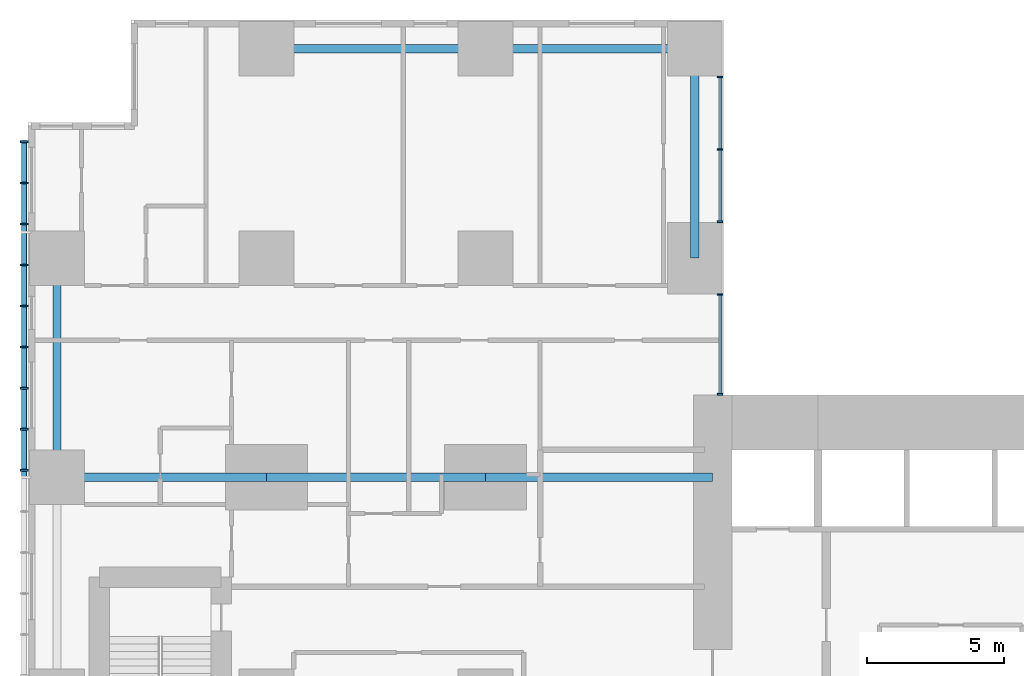
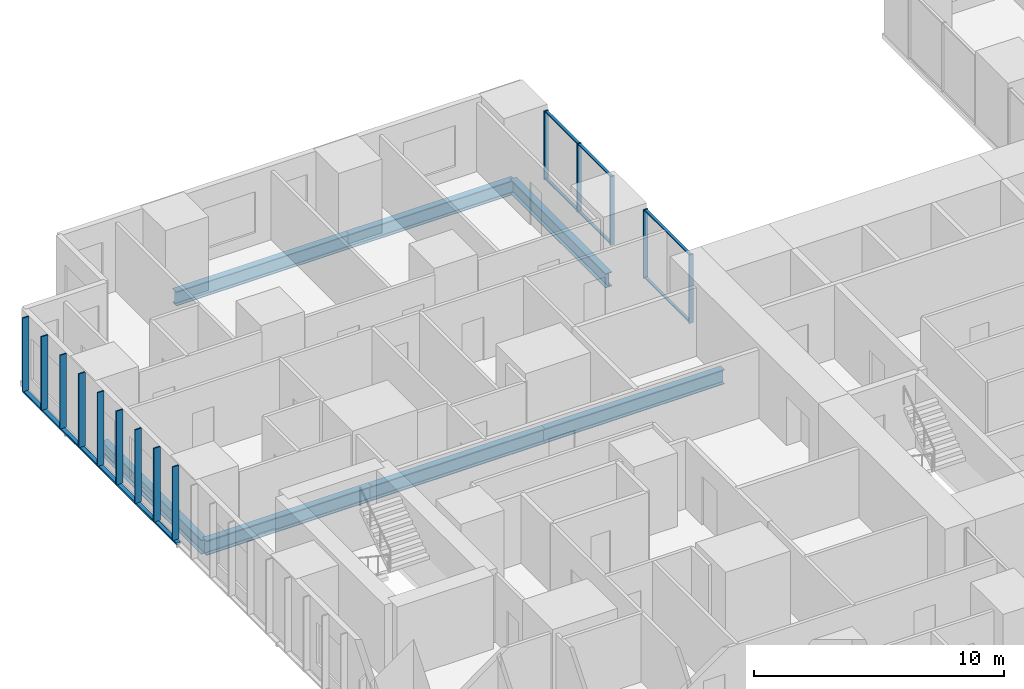
# One storey, part 4 of 22: 21 members, 7 beams, 2 elements without a shape of their own.
"""IFC4 building model written with IfcOpenShell, lengths in metres."""

from ifc_helpers import new_model, si_unit, direction, frame, origin, origin_2d, place, context, subcontext, project, spatial, rectangle, hollow_rectangle, i_section, extrude, material, layer, layer_set, material_profile, profile_set, type_object, element, aggregate, save


model = new_model("IFC4")

# Units and contexts
model_context = context("Model", 3, precision=1e-05, world=origin(), true_north=direction((0.0, 1.0)))
body_context = subcontext(model_context, "Body", "Model", "MODEL_VIEW")
ifc_project = project(units=[si_unit("LENGTHUNIT", "METRE"), si_unit("AREAUNIT", "SQUARE_METRE"), si_unit("VOLUMEUNIT", "CUBIC_METRE"), si_unit("PLANEANGLEUNIT", "RADIAN"), si_unit("MASSUNIT", "GRAM", prefix="KILO")], contexts=[model_context])

# Site, building, storey
site_placement = place(None, origin())
site = spatial("IfcSite", under=ifc_project, at=site_placement, CompositionType="ELEMENT")
building_placement = place(site_placement, origin())
building = spatial("IfcBuilding", under=site, at=building_placement, Name="Cleftline Residences", CompositionType="ELEMENT")
storey_placement = place(building_placement, frame((0.0, 0.0, 29.60009765625)))
storey = spatial("IfcBuildingStorey", under=building, at=storey_placement, Name="L06", CompositionType="ELEMENT", Elevation=29.60009765625)

# Member
ifc_material_1 = material(Name="Steel S355, hot-dip galvanised", Category="steel")
ifc_material_profile_1 = material_profile(ifc_material_1, hollow_rectangle(XDim=0.10009765625, YDim=0.199951171875, WallThickness=0.008056640625, InnerFilletRadius=0.008056640625, OuterFilletRadius=0.011962890625, at=origin_2d()))
ifc_profile_set_1 = profile_set([ifc_material_profile_1], Name="Steel S355, hot-dip galvanised")
member_type_1 = type_object("IfcMemberType", Name="BAGUETTE CARRIER RHS 200X100X8", PredefinedType="USERDEFINED", material=ifc_profile_set_1)
member_1_placement = place(storey_placement, frame((-0.85009765625, 44.300048828125, -0.050048828125), z_axis=(0.0, -1.0, 0.0), x_axis=(0.0, 0.0, 1.0)))
element("IfcMember", 1, at=member_1_placement, inside=storey, type_object=member_type_1, Name="Baguette carrier", ObjectType="BAGUETTE CARRIER", PredefinedType="USERDEFINED", context=body_context, shape_type="SweptSolid", body=[
    extrude(hollow_rectangle(XDim=0.10009765625, YDim=0.199951171875, WallThickness=0.008056640625, InnerFilletRadius=0.008056640625, OuterFilletRadius=0.011962890625, at=origin_2d()), origin(), (0.0, 0.0, 1.0), 12.300048828125),
])

# Beams
ifc_material_2 = material(Name="Steel S355", Category="steel")
ifc_material_profile_2 = material_profile(ifc_material_2, i_section(OverallWidth=0.300048828125, OverallDepth=0.699951171875, WebThickness=0.01708984375, FlangeThickness=0.031982421875, FilletRadius=0.027099609375, at=origin_2d()))
ifc_profile_set_2 = profile_set([ifc_material_profile_2], Name="Steel S355")
beam_type_1 = type_object("IfcBeamType", Name="BEAM HEB 700", PredefinedType="BEAM", material=ifc_profile_set_2)
for number, where, z_axis, x_axis, name in (
    (2, (0.35009765625, 32.0, -0.60009765625), (0.0, 1.0, 0.0), (-1.0, 0.0, 0.0), "Edge beam"),
    (3, (8.0, 47.64990234375, -0.60009765625), (1.0, 0.0, 0.0), (0.0, 1.0, 0.0), "Edge beam"),
):
    element("IfcBeam", number, at=place(storey_placement, frame(where, z_axis=z_axis, x_axis=x_axis)), inside=storey, type_object=beam_type_1, Name=name, PredefinedType="BEAM", context=body_context, shape_type="SweptSolid", body=[
        extrude(i_section(OverallWidth=0.300048828125, OverallDepth=0.699951171875, WebThickness=0.01708984375, FlangeThickness=0.031982421875, FilletRadius=0.027099609375, at=origin_2d()), origin(), (0.0, 0.0, 1.0), 8.0),
    ])
for number, where, z_axis, x_axis, name in (
    (4, (16.0, 47.64990234375, -0.60009765625), (1.0, 0.0, 0.0), (0.0, 1.0, 0.0), "Edge beam"),
    (5, (23.64990234375, 47.64990234375, -0.60009765625), (0.0, -1.0, 0.0), (1.0, 0.0, 0.0), "Edge beam"),
):
    element("IfcBeam", number, at=place(storey_placement, frame(where, z_axis=z_axis, x_axis=x_axis)), inside=storey, type_object=beam_type_1, Name=name, PredefinedType="BEAM", context=body_context, shape_type="SweptSolid", body=[
        extrude(i_section(OverallWidth=0.300048828125, OverallDepth=0.699951171875, WebThickness=0.01708984375, FlangeThickness=0.031982421875, FilletRadius=0.027099609375, at=origin_2d()), origin(), (0.0, 0.0, 1.0), 7.64990234375),
    ])
ifc_material_3 = material(Name="Steel S355", Category="steel")
ifc_material_profile_3 = material_profile(ifc_material_3, i_section(OverallWidth=0.303955078125, OverallDepth=0.716064453125, WebThickness=0.02099609375, FlangeThickness=0.0400390625, FilletRadius=0.027099609375, at=origin_2d()))
ifc_profile_set_3 = profile_set([ifc_material_profile_3], Name="Steel S355")
beam_type_2 = type_object("IfcBeamType", Name="BEAM HEM 700", PredefinedType="BEAM", material=ifc_profile_set_3)
beam_1_placement = place(storey_placement, frame((0.35009765625, 32.0, -0.608154296875), z_axis=(1.0, 0.0, 0.0), x_axis=(0.0, 1.0, 0.0)))
element("IfcBeam", 6, at=beam_1_placement, inside=storey, type_object=beam_type_2, Name="Band beam", PredefinedType="BEAM", context=body_context, shape_type="SweptSolid", body=[
    extrude(i_section(OverallWidth=0.303955078125, OverallDepth=0.716064453125, WebThickness=0.02099609375, FlangeThickness=0.0400390625, FilletRadius=0.027099609375, at=origin_2d()), origin(), (0.0, 0.0, 1.0), 7.64990234375),
])
beam_2_placement = place(storey_placement, frame((8.0, 32.0, -0.608154296875), z_axis=(1.0, 0.0, 0.0), x_axis=(0.0, 1.0, 0.0)))
element("IfcBeam", 7, at=beam_2_placement, inside=storey, type_object=beam_type_2, Name="Band beam", PredefinedType="BEAM", context=body_context, shape_type="SweptSolid", body=[
    extrude(i_section(OverallWidth=0.303955078125, OverallDepth=0.716064453125, WebThickness=0.02099609375, FlangeThickness=0.0400390625, FilletRadius=0.027099609375, at=origin_2d()), origin(), (0.0, 0.0, 1.0), 8.0),
])
beam_3_placement = place(storey_placement, frame((16.0, 32.0, -0.608154296875), z_axis=(1.0, 0.0, 0.0), x_axis=(0.0, 1.0, 0.0)))
element("IfcBeam", 8, at=beam_3_placement, inside=storey, type_object=beam_type_2, Name="Band beam", PredefinedType="BEAM", context=body_context, shape_type="SweptSolid", body=[
    extrude(i_section(OverallWidth=0.303955078125, OverallDepth=0.716064453125, WebThickness=0.02099609375, FlangeThickness=0.0400390625, FilletRadius=0.027099609375, at=origin_2d()), origin(), (0.0, 0.0, 1.0), 8.300048828125),
])

# Curtain wall, members
ifc_material_4 = material(Name="Aluminium framed curtain wall", Category="aluminium")
ifc_layer = layer(ifc_material_4, 0.199951171875)
ifc_layer_set = layer_set([ifc_layer], Name="CW1 CLEFT GLAZING")
curtain_wall_type = type_object("IfcCurtainWallType", Name="CW1 CLEFT GLAZING", PredefinedType="NOTDEFINED", material=ifc_layer_set)
curtain_wall_1_placement = place(storey_placement, origin())
curtain_wall_1 = element("IfcCurtainWall", 9, at=curtain_wall_1_placement, inside=storey, type_object=curtain_wall_type, Name="Curtain wall CW1", PredefinedType="NOTDEFINED")
ifc_material_5 = material(Name="Aluminium mullion", Category="aluminium")
ifc_material_profile_4 = material_profile(ifc_material_5, rectangle(XDim=0.199951171875, YDim=0.06005859375, at=origin_2d()))
ifc_profile_set_4 = profile_set([ifc_material_profile_4], Name="Aluminium mullion")
member_type_2 = type_object("IfcMemberType", Name="CW1 MULLION", PredefinedType="MULLION", material=ifc_profile_set_4)
member_2_placement = place(storey_placement, frame((24.574951171875, 35.030029296875, 0.0), z_axis=(0.0, 0.0, 1.0), x_axis=(-1.0, 0.0, 0.0)))
member_2 = element("IfcMember", 10, at=member_2_placement, type_object=member_type_2, Name="CW1 mullion 1", PredefinedType="MULLION", context=body_context, shape_type="SweptSolid", body=[
    extrude(rectangle(XDim=0.199951171875, YDim=0.06005859375, at=origin_2d()), origin(), (0.0, 0.0, 1.0), 3.349853515625),
])
member_3_placement = place(storey_placement, frame((24.574951171875, 38.669921875, 0.0), z_axis=(0.0, 0.0, 1.0), x_axis=(-1.0, 0.0, 0.0)))
member_3 = element("IfcMember", 11, at=member_3_placement, type_object=member_type_2, Name="CW1 mullion 2", PredefinedType="MULLION", context=body_context, shape_type="SweptSolid", body=[
    extrude(rectangle(XDim=0.199951171875, YDim=0.06005859375, at=origin_2d()), origin(), (0.0, 0.0, 1.0), 3.349853515625),
])

curtain_wall_2_placement = place(storey_placement, origin())
curtain_wall_2 = element("IfcCurtainWall", 12, at=curtain_wall_2_placement, inside=storey, type_object=curtain_wall_type, Name="Curtain wall CW1", PredefinedType="NOTDEFINED")
member_4_placement = place(storey_placement, frame((24.574951171875, 41.330078125, 0.0), z_axis=(0.0, 0.0, 1.0), x_axis=(-1.0, 0.0, 0.0)))
member_4 = element("IfcMember", 13, at=member_4_placement, type_object=member_type_2, Name="CW1 mullion 1", PredefinedType="MULLION", context=body_context, shape_type="SweptSolid", body=[
    extrude(rectangle(XDim=0.199951171875, YDim=0.06005859375, at=origin_2d()), origin(), (0.0, 0.0, 1.0), 3.349853515625),
])
member_5_placement = place(storey_placement, frame((24.574951171875, 43.97509765625, 0.0), z_axis=(0.0, 0.0, 1.0), x_axis=(-1.0, 0.0, 0.0)))
member_5 = element("IfcMember", 14, at=member_5_placement, type_object=member_type_2, Name="CW1 mullion 2", PredefinedType="MULLION", context=body_context, shape_type="SweptSolid", body=[
    extrude(rectangle(XDim=0.199951171875, YDim=0.06005859375, at=origin_2d()), origin(), (0.0, 0.0, 1.0), 3.349853515625),
])
member_6_placement = place(storey_placement, frame((24.574951171875, 46.6201171875, 0.0), z_axis=(0.0, 0.0, 1.0), x_axis=(-1.0, 0.0, 0.0)))
member_6 = element("IfcMember", 15, at=member_6_placement, type_object=member_type_2, Name="CW1 mullion 3", PredefinedType="MULLION", context=body_context, shape_type="SweptSolid", body=[
    extrude(rectangle(XDim=0.199951171875, YDim=0.06005859375, at=origin_2d()), origin(), (0.0, 0.0, 1.0), 3.349853515625),
])

# Member
ifc_material_6 = material(Name="Aluminium transom", Category="aluminium")
ifc_material_profile_5 = material_profile(ifc_material_6, rectangle(XDim=0.1201171875, YDim=0.06005859375, at=origin_2d()))
ifc_profile_set_5 = profile_set([ifc_material_profile_5], Name="Aluminium transom")
member_type_3 = type_object("IfcMemberType", Name="CW1 TRANSOM", PredefinedType="USERDEFINED", material=ifc_profile_set_5)
member_7_placement = place(storey_placement, frame((24.574951171875, 35.06005859375, 0.02978515625), z_axis=(0.0, 1.0, 0.0), x_axis=(-1.0, 0.0, 0.0)))
member_7 = element("IfcMember", 16, at=member_7_placement, type_object=member_type_3, Name="CW1 transom 1.1", ObjectType="TRANSOM", PredefinedType="USERDEFINED", context=body_context, shape_type="SweptSolid", body=[
    extrude(rectangle(XDim=0.1201171875, YDim=0.06005859375, at=origin_2d()), origin(), (0.0, 0.0, 1.0), 3.579833984375),
])

member_8_placement = place(storey_placement, frame((24.574951171875, 35.06005859375, 3.31982421875), z_axis=(0.0, 1.0, 0.0), x_axis=(-1.0, 0.0, 0.0)))
member_8 = element("IfcMember", 17, at=member_8_placement, type_object=member_type_3, Name="CW1 transom 1.2", ObjectType="TRANSOM", PredefinedType="USERDEFINED", context=body_context, shape_type="SweptSolid", body=[
    extrude(rectangle(XDim=0.1201171875, YDim=0.06005859375, at=origin_2d()), origin(), (0.0, 0.0, 1.0), 3.579833984375),
])

aggregate(curtain_wall_1, [member_2, member_3, member_7, member_8])

member_9_placement = place(storey_placement, frame((24.574951171875, 41.360107421875, 0.02978515625), z_axis=(0.0, 1.0, 0.0), x_axis=(-1.0, 0.0, 0.0)))
member_9 = element("IfcMember", 18, at=member_9_placement, type_object=member_type_3, Name="CW1 transom 1.1", ObjectType="TRANSOM", PredefinedType="USERDEFINED", context=body_context, shape_type="SweptSolid", body=[
    extrude(rectangle(XDim=0.1201171875, YDim=0.06005859375, at=origin_2d()), origin(), (0.0, 0.0, 1.0), 2.5849609375),
])

member_10_placement = place(storey_placement, frame((24.574951171875, 41.360107421875, 3.31982421875), z_axis=(0.0, 1.0, 0.0), x_axis=(-1.0, 0.0, 0.0)))
member_10 = element("IfcMember", 19, at=member_10_placement, type_object=member_type_3, Name="CW1 transom 1.2", ObjectType="TRANSOM", PredefinedType="USERDEFINED", context=body_context, shape_type="SweptSolid", body=[
    extrude(rectangle(XDim=0.1201171875, YDim=0.06005859375, at=origin_2d()), origin(), (0.0, 0.0, 1.0), 2.5849609375),
])

member_11_placement = place(storey_placement, frame((24.574951171875, 44.0048828125, 0.02978515625), z_axis=(0.0, 1.0, 0.0), x_axis=(-1.0, 0.0, 0.0)))
member_11 = element("IfcMember", 20, at=member_11_placement, type_object=member_type_3, Name="CW1 transom 2.1", ObjectType="TRANSOM", PredefinedType="USERDEFINED", context=body_context, shape_type="SweptSolid", body=[
    extrude(rectangle(XDim=0.1201171875, YDim=0.06005859375, at=origin_2d()), origin(), (0.0, 0.0, 1.0), 2.585205078125),
])

member_12_placement = place(storey_placement, frame((24.574951171875, 44.0048828125, 3.31982421875), z_axis=(0.0, 1.0, 0.0), x_axis=(-1.0, 0.0, 0.0)))
member_12 = element("IfcMember", 21, at=member_12_placement, type_object=member_type_3, Name="CW1 transom 2.2", ObjectType="TRANSOM", PredefinedType="USERDEFINED", context=body_context, shape_type="SweptSolid", body=[
    extrude(rectangle(XDim=0.1201171875, YDim=0.06005859375, at=origin_2d()), origin(), (0.0, 0.0, 1.0), 2.585205078125),
])

aggregate(curtain_wall_2, [member_4, member_5, member_6, member_9, member_10, member_11, member_12])

# Members
ifc_material_7 = material(Name="Extruded terracotta", Category="masonry")
ifc_material_profile_6 = material_profile(ifc_material_7, rectangle(XDim=0.06005859375, YDim=0.300048828125, at=origin_2d()))
ifc_profile_set_6 = profile_set([ifc_material_profile_6], Name="Extruded terracotta")
member_type_4 = type_object("IfcMemberType", Name="TERRACOTTA BAGUETTE 60X300", PredefinedType="USERDEFINED", material=ifc_profile_set_6)
for number, where, z_axis, x_axis, name in (
    (22, (-0.85009765625, 44.25, 0.0), (0.0, 0.0, 1.0), (0.0, 1.0, 0.0), "Terracotta baguette"),
    (23, (-0.85009765625, 42.75, 0.0), (0.0, 0.0, 1.0), (0.0, 1.0, 0.0), "Terracotta baguette"),
    (24, (-0.85009765625, 41.25, 0.0), (0.0, 0.0, 1.0), (0.0, 1.0, 0.0), "Terracotta baguette"),
    (25, (-0.85009765625, 39.75, 0.0), (0.0, 0.0, 1.0), (0.0, 1.0, 0.0), "Terracotta baguette"),
    (26, (-0.85009765625, 38.25, 0.0), (0.0, 0.0, 1.0), (0.0, 1.0, 0.0), "Terracotta baguette"),
    (27, (-0.85009765625, 36.75, 0.0), (0.0, 0.0, 1.0), (0.0, 1.0, 0.0), "Terracotta baguette"),
    (28, (-0.85009765625, 35.25, 0.0), (0.0, 0.0, 1.0), (0.0, 1.0, 0.0), "Terracotta baguette"),
    (29, (-0.85009765625, 33.75, 0.0), (0.0, 0.0, 1.0), (0.0, 1.0, 0.0), "Terracotta baguette"),
    (30, (-0.85009765625, 32.25, 0.0), (0.0, 0.0, 1.0), (0.0, 1.0, 0.0), "Terracotta baguette"),
):
    element("IfcMember", number, at=place(storey_placement, frame(where, z_axis=z_axis, x_axis=x_axis)), inside=storey, type_object=member_type_4, Name=name, ObjectType="BAGUETTE", PredefinedType="USERDEFINED", context=body_context, shape_type="SweptSolid", body=[
        extrude(rectangle(XDim=0.06005859375, YDim=0.300048828125, at=origin_2d()), origin(), (0.0, 0.0, 1.0), 3.599853515625),
    ])

save(model, "model.ifc")
